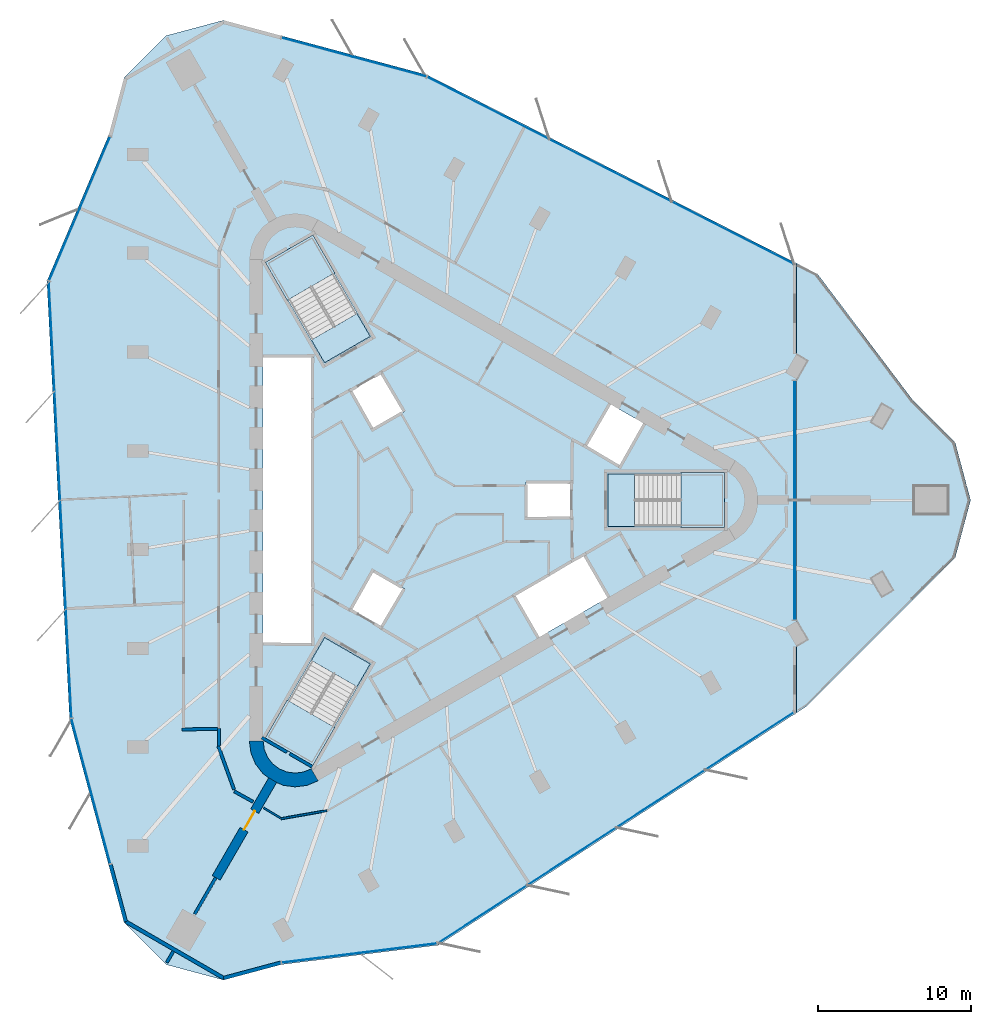
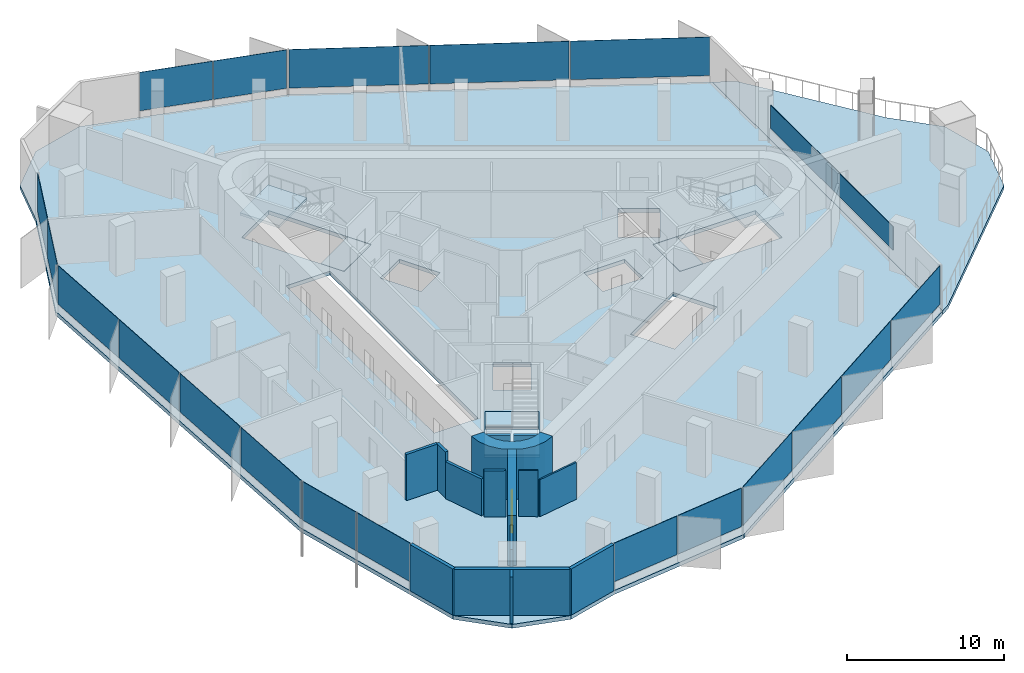
# One storey, part 6 of 12: 21 plates, 15 walls, 8 slabs, 1 door, 1 opening, 11 elements without a shape of their own.
"""IFC4 building model written with IfcOpenShell, lengths in metres."""

from ifc_helpers import new_model, si_unit, direction, frame, frame_2d, origin, origin_2d, place, context, subcontext, project, spatial, polyline, rectangle, outline, extrude, material, layer, layer_set, type_object, element, fill, aggregate, save


model = new_model("IFC4")

# Units and contexts
model_context = context("Model", 3, precision=1e-05, world=origin(), true_north=direction((0.0, 1.0)))
body_context = subcontext(model_context, "Body", "Model", "MODEL_VIEW")
ifc_project = project(units=[si_unit("LENGTHUNIT", "METRE"), si_unit("AREAUNIT", "SQUARE_METRE"), si_unit("VOLUMEUNIT", "CUBIC_METRE"), si_unit("PLANEANGLEUNIT", "RADIAN"), si_unit("MASSUNIT", "GRAM", prefix="KILO")], contexts=[model_context])

# Site, building, storey
site_placement = place(None, origin())
site = spatial("IfcSite", under=ifc_project, at=site_placement, CompositionType="ELEMENT")
building_placement = place(site_placement, origin())
building = spatial("IfcBuilding", under=site, at=building_placement, Name="Tanit Gate Tower", CompositionType="ELEMENT")
storey_placement = place(building_placement, frame((0.0, 0.0, 361.10009765625)))
storey = spatial("IfcBuildingStorey", under=building, at=storey_placement, Name="L82", CompositionType="ELEMENT", Elevation=361.10009765625)

# Slab
ifc_material_1 = material(Name="Concrete C35/45", Category="concrete")
ifc_layer_1 = layer(ifc_material_1, 0.300048828125)
ifc_layer_set_1 = layer_set([ifc_layer_1], Name="FLOOR SLAB 300 C35/45")
slab_type_1 = type_object("IfcSlabType", Name="FLOOR SLAB 300 C35/45", PredefinedType="FLOOR", material=ifc_layer_set_1)
slab_1_placement = place(storey_placement, frame((0.0, 0.0, -0.300048828125)))
element("IfcSlab", 1, at=slab_1_placement, inside=storey, type_object=slab_type_1, Name="FLOOR SLAB L82", PredefinedType="FLOOR", context=body_context, shape_type="SweptSolid", body=[
    extrude(outline(polyline([(0.267822265625, -29.116943359375), (-10.025390625, -30.39013671875), (-13.78564453125, -31.397705078125), (-17.545654296875, -30.39013671875), (-20.29833984375, -27.637451171875), (-21.305908203125, -23.87744140625), (-23.86181640625, -14.326416015625), (-25.349853515625, 14.326416015625), (-21.305908203125, 23.87744140625), (-20.29833984375, 27.637451171875), (-17.545654296875, 30.39013671875), (-13.78564453125, 31.397705078125), (-10.025390625, 30.39013671875), (-0.476318359375, 27.828125), (25.08203125, 14.790283203125), (23.699951171875, 15.495361328125), (23.699951171875, -13.91552734375), (0.267822265625, -29.116943359375)]), holes=[polyline([(11.3701171875, 1.72998046875), (18.929931640625, 1.72998046875), (18.929931640625, -1.72998046875), (11.3701171875, -1.72998046875), (11.3701171875, 1.72998046875)]), polyline([(12.158935546875, 2.159912109375), (9.82080078125, 3.510009765625), (11.44580078125, 6.324462890625), (13.783935546875, 4.974609375), (12.158935546875, 2.159912109375)]), polyline([(11.44580078125, -6.324462890625), (6.76904296875, -9.0244140625), (5.14404296875, -6.2099609375), (9.82080078125, -3.510009765625), (11.44580078125, -6.324462890625)]), polyline([(6.0, 1.199951171875), (9.0, 1.199951171875), (9.0, -1.199951171875), (6.0, -1.199951171875), (6.0, 1.199951171875)]), polyline([(-4.039306640625, 4.59619140625), (-5.539306640625, 7.194091796875), (-3.460693359375, 8.394287109375), (-1.960693359375, 5.796142578125), (-4.039306640625, 4.59619140625)]), polyline([(-1.960693359375, -5.796142578125), (-3.460693359375, -8.394287109375), (-5.539306640625, -7.194091796875), (-4.039306640625, -4.59619140625), (-1.960693359375, -5.796142578125)]), polyline([(-7.18310546875, 8.981689453125), (-10.963134765625, 15.52880859375), (-7.966796875, 17.2587890625), (-4.186767578125, 10.711669921875), (-7.18310546875, 8.981689453125)]), polyline([(-4.186767578125, -10.711669921875), (-7.966796875, -17.2587890625), (-10.963134765625, -15.52880859375), (-7.18310546875, -8.981689453125), (-4.186767578125, -10.711669921875)]), polyline([(-11.199951171875, -9.449951171875), (-11.199951171875, 9.449951171875), (-7.949951171875, 9.449951171875), (-7.949951171875, -9.449951171875), (-11.199951171875, -9.449951171875)])]), origin(), (0.0, 0.0, 1.0), 0.300048828125),
])

# Curtain wall, plates
ifc_material_2 = material(Name="Aluminium bronze anodised and glass", Category="aluminium")
curtain_wall_type_1 = type_object("IfcCurtainWallType", Name="Curtain wall typical high", PredefinedType="NOTDEFINED", material=ifc_material_2)
curtain_wall_1_placement = place(storey_placement, origin())
curtain_wall_1 = element("IfcCurtainWall", 2, at=curtain_wall_1_placement, inside=storey, type_object=curtain_wall_type_1, Name="Curtain wall L82 NE2c", PredefinedType="NOTDEFINED")
ifc_material_3 = material(Name="Glass tinted", Category="glass")
ifc_layer_2 = layer(ifc_material_3, 0.028076171875)
ifc_layer_set_2 = layer_set([ifc_layer_2], Name="Glass panel 28 typical high")
plate_type_1 = type_object("IfcPlateType", Name="Glass panel 28 typical high", PredefinedType="CURTAIN_PANEL", material=ifc_layer_set_2)
plate_1_placement = place(storey_placement, frame((19.5400390625, 17.482666015625, 0.599853515625), z_axis=(0.0, 0.0, 1.0), x_axis=(-0.890792250432, 0.454410790552, 0.0)))
plate_1 = element("IfcPlate", 3, at=plate_1_placement, type_object=plate_type_1, Name="Glass panel L82 NE2c.1", PredefinedType="CURTAIN_PANEL", context=body_context, shape_type="SweptSolid", body=[
    extrude(rectangle(XDim=8.91162109375, YDim=0.028076171875, at=origin_2d()), origin(), (0.0, 0.0, 1.0), 3.0),
])
plate_2_placement = place(storey_placement, frame((11.530517578125, 21.568603515625, 0.599853515625), z_axis=(0.0, 0.0, 1.0), x_axis=(-0.890792250432, 0.454410790552, 0.0)))
plate_2 = element("IfcPlate", 4, at=plate_2_placement, type_object=plate_type_1, Name="Glass panel L82 NE2c.2", PredefinedType="CURTAIN_PANEL", context=body_context, shape_type="SweptSolid", body=[
    extrude(rectangle(XDim=8.91162109375, YDim=0.028076171875, at=origin_2d()), origin(), (0.0, 0.0, 1.0), 3.0),
])
plate_3_placement = place(storey_placement, frame((3.52099609375, 25.654296875, 0.599853515625), z_axis=(0.0, 0.0, 1.0), x_axis=(-0.890792250432, 0.454410790552, 0.0)))
plate_3 = element("IfcPlate", 5, at=plate_3_placement, type_object=plate_type_1, Name="Glass panel L82 NE2c.3", PredefinedType="CURTAIN_PANEL", context=body_context, shape_type="SweptSolid", body=[
    extrude(rectangle(XDim=8.91162109375, YDim=0.028076171875, at=origin_2d()), origin(), (0.0, 0.0, 1.0), 3.0),
])
aggregate(curtain_wall_1, [plate_1, plate_2, plate_3])

curtain_wall_2_placement = place(storey_placement, origin())
curtain_wall_2 = element("IfcCurtainWall", 6, at=curtain_wall_2_placement, inside=storey, type_object=curtain_wall_type_1, Name="Curtain wall L82 NE3", PredefinedType="NOTDEFINED")
plate_4_placement = place(storey_placement, frame((-2.923095703125, 28.3603515625, 0.599853515625), z_axis=(0.0, 0.0, 1.0), x_axis=(-0.965844581241, 0.259122065613, 0.0)))
plate_4 = element("IfcPlate", 7, at=plate_4_placement, type_object=plate_type_1, Name="Glass panel L82 NE3.1", PredefinedType="CURTAIN_PANEL", context=body_context, shape_type="SweptSolid", body=[
    extrude(rectangle(XDim=4.817138671875, YDim=0.028076171875, at=origin_2d()), origin(), (0.0, 0.0, 1.0), 3.0),
])
plate_5_placement = place(storey_placement, frame((-7.653076171875, 29.62939453125, 0.599853515625), z_axis=(0.0, 0.0, 1.0), x_axis=(-0.965844581241, 0.259122065613, 0.0)))
plate_5 = element("IfcPlate", 8, at=plate_5_placement, type_object=plate_type_1, Name="Glass panel L82 NE3.2", PredefinedType="CURTAIN_PANEL", context=body_context, shape_type="SweptSolid", body=[
    extrude(rectangle(XDim=4.817138671875, YDim=0.028076171875, at=origin_2d()), origin(), (0.0, 0.0, 1.0), 3.0),
])
aggregate(curtain_wall_2, [plate_4, plate_5])

curtain_wall_3_placement = place(storey_placement, origin())
curtain_wall_3 = element("IfcCurtainWall", 9, at=curtain_wall_3_placement, inside=storey, type_object=curtain_wall_type_1, Name="Curtain wall L82 W1", PredefinedType="NOTDEFINED")
plate_6_placement = place(storey_placement, frame((-22.208984375, 21.4365234375, 0.599853515625), z_axis=(0.0, 0.0, 1.0), x_axis=(-0.389905731577, -0.920854777087, 0.0)))
plate_6 = element("IfcPlate", 10, at=plate_6_placement, type_object=plate_type_1, Name="Glass panel L82 W1.1", PredefinedType="CURTAIN_PANEL", context=body_context, shape_type="SweptSolid", body=[
    extrude(rectangle(XDim=5.056396484375, YDim=0.028076171875, at=origin_2d()), origin(), (0.0, 0.0, 1.0), 3.0),
])
plate_7_placement = place(storey_placement, frame((-24.211669921875, 16.706787109375, 0.599853515625), z_axis=(0.0, 0.0, 1.0), x_axis=(-0.389905731577, -0.920854777087, 0.0)))
plate_7 = element("IfcPlate", 11, at=plate_7_placement, type_object=plate_type_1, Name="Glass panel L82 W1.2", PredefinedType="CURTAIN_PANEL", context=body_context, shape_type="SweptSolid", body=[
    extrude(rectangle(XDim=5.056396484375, YDim=0.028076171875, at=origin_2d()), origin(), (0.0, 0.0, 1.0), 3.0),
])
aggregate(curtain_wall_3, [plate_6, plate_7])

curtain_wall_4_placement = place(storey_placement, origin())
curtain_wall_4 = element("IfcCurtainWall", 12, at=curtain_wall_4_placement, inside=storey, type_object=curtain_wall_type_1, Name="Curtain wall L82 W2", PredefinedType="NOTDEFINED")
plate_8_placement = place(storey_placement, frame((-25.041259765625, 10.698486328125, 0.599853515625), z_axis=(0.0, 0.0, 1.0), x_axis=(0.051864836844, -0.998654113645, 0.0)))
plate_8 = element("IfcPlate", 13, at=plate_8_placement, type_object=plate_type_1, Name="Glass panel L82 W2.1", PredefinedType="CURTAIN_PANEL", context=body_context, shape_type="SweptSolid", body=[
    extrude(rectangle(XDim=7.062744140625, YDim=0.028076171875, at=origin_2d()), origin(), (0.0, 0.0, 1.0), 3.0),
])
plate_9_placement = place(storey_placement, frame((-24.6708984375, 3.5654296875, 0.599853515625), z_axis=(0.0, 0.0, 1.0), x_axis=(0.051864836844, -0.998654113645, 0.0)))
plate_9 = element("IfcPlate", 14, at=plate_9_placement, type_object=plate_type_1, Name="Glass panel L82 W2.2", PredefinedType="CURTAIN_PANEL", context=body_context, shape_type="SweptSolid", body=[
    extrude(rectangle(XDim=7.062744140625, YDim=0.028076171875, at=origin_2d()), origin(), (0.0, 0.0, 1.0), 3.0),
])
plate_10_placement = place(storey_placement, frame((-24.30029296875, -3.56787109375, 0.599853515625), z_axis=(0.0, 0.0, 1.0), x_axis=(0.051864836844, -0.998654113645, 0.0)))
plate_10 = element("IfcPlate", 15, at=plate_10_placement, type_object=plate_type_1, Name="Glass panel L82 W2.3", PredefinedType="CURTAIN_PANEL", context=body_context, shape_type="SweptSolid", body=[
    extrude(rectangle(XDim=7.062744140625, YDim=0.028076171875, at=origin_2d()), origin(), (0.0, 0.0, 1.0), 3.0),
])
plate_11_placement = place(storey_placement, frame((-23.929931640625, -10.700927734375, 0.599853515625), z_axis=(0.0, 0.0, 1.0), x_axis=(0.051864836844, -0.998654113645, 0.0)))
plate_11 = element("IfcPlate", 16, at=plate_11_placement, type_object=plate_type_1, Name="Glass panel L82 W2.4", PredefinedType="CURTAIN_PANEL", context=body_context, shape_type="SweptSolid", body=[
    extrude(rectangle(XDim=7.062744140625, YDim=0.028076171875, at=origin_2d()), origin(), (0.0, 0.0, 1.0), 3.0),
])
aggregate(curtain_wall_4, [plate_8, plate_9, plate_10, plate_11])

curtain_wall_5_placement = place(storey_placement, origin())
curtain_wall_5 = element("IfcCurtainWall", 17, at=curtain_wall_5_placement, inside=storey, type_object=curtain_wall_type_1, Name="Curtain wall L82 W3", PredefinedType="NOTDEFINED")
plate_12_placement = place(storey_placement, frame((-23.099365234375, -16.711669921875, 0.599853515625), z_axis=(0.0, 0.0, 1.0), x_axis=(0.258515999119, -0.966006976269, 0.0)))
plate_12 = element("IfcPlate", 18, at=plate_12_placement, type_object=plate_type_1, Name="Glass panel L82 W3.1", PredefinedType="CURTAIN_PANEL", context=body_context, shape_type="SweptSolid", body=[
    extrude(rectangle(XDim=4.817138671875, YDim=0.028076171875, at=origin_2d()), origin(), (0.0, 0.0, 1.0), 3.0),
])
plate_13_placement = place(storey_placement, frame((-21.833251953125, -21.4423828125, 0.599853515625), z_axis=(0.0, 0.0, 1.0), x_axis=(0.258515999119, -0.966006976269, 0.0)))
plate_13 = element("IfcPlate", 19, at=plate_13_placement, type_object=plate_type_1, Name="Glass panel L82 W3.2", PredefinedType="CURTAIN_PANEL", context=body_context, shape_type="SweptSolid", body=[
    extrude(rectangle(XDim=4.817138671875, YDim=0.028076171875, at=origin_2d()), origin(), (0.0, 0.0, 1.0), 3.0),
])
aggregate(curtain_wall_5, [plate_12, plate_13])

curtain_wall_6_placement = place(storey_placement, origin())
curtain_wall_6 = element("IfcCurtainWall", 20, at=curtain_wall_6_placement, inside=storey, type_object=curtain_wall_type_1, Name="Curtain wall L82 SE1", PredefinedType="NOTDEFINED")
plate_14_placement = place(storey_placement, frame((-7.460205078125, -29.951904296875, 0.599853515625), z_axis=(0.0, 0.0, 1.0), x_axis=(0.992436495942, 0.122759119916, 0.0)))
plate_14 = element("IfcPlate", 21, at=plate_14_placement, type_object=plate_type_1, Name="Glass panel L82 SE1.1", PredefinedType="CURTAIN_PANEL", context=body_context, shape_type="SweptSolid", body=[
    extrude(rectangle(XDim=5.056396484375, YDim=0.028076171875, at=origin_2d()), origin(), (0.0, 0.0, 1.0), 3.0),
])
plate_15_placement = place(storey_placement, frame((-2.362548828125, -29.3212890625, 0.599853515625), z_axis=(0.0, 0.0, 1.0), x_axis=(0.992436495942, 0.122759119916, 0.0)))
plate_15 = element("IfcPlate", 22, at=plate_15_placement, type_object=plate_type_1, Name="Glass panel L82 SE1.2", PredefinedType="CURTAIN_PANEL", context=body_context, shape_type="SweptSolid", body=[
    extrude(rectangle(XDim=5.056396484375, YDim=0.028076171875, at=origin_2d()), origin(), (0.0, 0.0, 1.0), 3.0),
])
aggregate(curtain_wall_6, [plate_14, plate_15])

curtain_wall_7_placement = place(storey_placement, origin())
curtain_wall_7 = element("IfcCurtainWall", 23, at=curtain_wall_7_placement, inside=storey, type_object=curtain_wall_type_1, Name="Curtain wall L82 SE2c", PredefinedType="NOTDEFINED")
plate_16_placement = place(storey_placement, frame((3.170166015625, -27.091064453125, 0.599853515625), z_axis=(0.0, 0.0, 1.0), x_axis=(0.838927413588, 0.544243323092, 0.0)))
plate_16 = element("IfcPlate", 24, at=plate_16_placement, type_object=plate_type_1, Name="Glass panel L82 SE2c.1", PredefinedType="CURTAIN_PANEL", context=body_context, shape_type="SweptSolid", body=[
    extrude(rectangle(XDim=6.859619140625, YDim=0.028076171875, at=origin_2d()), origin(), (0.0, 0.0, 1.0), 3.0),
])
plate_17_placement = place(storey_placement, frame((8.9921875, -23.31396484375, 0.599853515625), z_axis=(0.0, 0.0, 1.0), x_axis=(0.838927413588, 0.544243323092, 0.0)))
plate_17 = element("IfcPlate", 25, at=plate_17_placement, type_object=plate_type_1, Name="Glass panel L82 SE2c.2", PredefinedType="CURTAIN_PANEL", context=body_context, shape_type="SweptSolid", body=[
    extrude(rectangle(XDim=6.859619140625, YDim=0.028076171875, at=origin_2d()), origin(), (0.0, 0.0, 1.0), 3.0),
])
plate_18_placement = place(storey_placement, frame((14.81396484375, -19.537109375, 0.599853515625), z_axis=(0.0, 0.0, 1.0), x_axis=(0.838927413588, 0.544243323092, 0.0)))
plate_18 = element("IfcPlate", 26, at=plate_18_placement, type_object=plate_type_1, Name="Glass panel L82 SE2c.3", PredefinedType="CURTAIN_PANEL", context=body_context, shape_type="SweptSolid", body=[
    extrude(rectangle(XDim=6.859619140625, YDim=0.028076171875, at=origin_2d()), origin(), (0.0, 0.0, 1.0), 3.0),
])
plate_19_placement = place(storey_placement, frame((20.635986328125, -15.76025390625, 0.599853515625), z_axis=(0.0, 0.0, 1.0), x_axis=(0.838927413588, 0.544243323092, 0.0)))
plate_19 = element("IfcPlate", 27, at=plate_19_placement, type_object=plate_type_1, Name="Glass panel L82 SE2c.4", PredefinedType="CURTAIN_PANEL", context=body_context, shape_type="SweptSolid", body=[
    extrude(rectangle(XDim=6.859619140625, YDim=0.028076171875, at=origin_2d()), origin(), (0.0, 0.0, 1.0), 3.0),
])
aggregate(curtain_wall_7, [plate_16, plate_17, plate_18, plate_19])

ifc_material_4 = material(Name="Aluminium bronze anodised and glass", Category="aluminium")
curtain_wall_type_2 = type_object("IfcCurtainWallType", Name="Curtain wall portal glazing", PredefinedType="NOTDEFINED", material=ifc_material_4)
curtain_wall_8_placement = place(storey_placement, origin())
curtain_wall_8 = element("IfcCurtainWall", 28, at=curtain_wall_8_placement, inside=storey, type_object=curtain_wall_type_2, Name="Curtain wall L82 NOTCH2", PredefinedType="NOTDEFINED")
ifc_material_5 = material(Name="Glass tinted laminated safety", Category="glass")
ifc_layer_3 = layer(ifc_material_5, 0.0439453125)
ifc_layer_set_3 = layer_set([ifc_layer_3], Name="Glass panel 44 portal glazing")
plate_type_2 = type_object("IfcPlateType", Name="Glass panel 44 portal glazing", PredefinedType="CURTAIN_PANEL", material=ifc_layer_set_3)
plate_20_placement = place(storey_placement, frame((23.580078125, 3.9267578125, 1.099853515625), z_axis=(0.0, 0.0, 1.0), x_axis=(0.0, -1.0, 0.0)))
plate_20 = element("IfcPlate", 29, at=plate_20_placement, type_object=plate_type_2, Name="Glass panel L82 NOTCH2.1", PredefinedType="CURTAIN_PANEL", context=body_context, shape_type="SweptSolid", body=[
    extrude(rectangle(XDim=7.7734375, YDim=0.0439453125, at=origin_2d()), origin(), (0.0, 0.0, 1.0), 1.81005859375),
])
plate_21_placement = place(storey_placement, frame((23.580078125, -3.9267578125, 1.099853515625), z_axis=(0.0, 0.0, 1.0), x_axis=(0.0, -1.0, 0.0)))
plate_21 = element("IfcPlate", 30, at=plate_21_placement, type_object=plate_type_2, Name="Glass panel L82 NOTCH2.2", PredefinedType="CURTAIN_PANEL", context=body_context, shape_type="SweptSolid", body=[
    extrude(rectangle(XDim=7.7734375, YDim=0.0439453125, at=origin_2d()), origin(), (0.0, 0.0, 1.0), 1.81005859375),
])
aggregate(curtain_wall_8, [plate_20, plate_21])

# Stair, slab
ifc_material_6 = material(Name="Concrete C40/50", Category="concrete")
stair_type = type_object("IfcStairType", Name="INT-STAIR-EXIT", PredefinedType="HALF_TURN_STAIR", material=ifc_material_6)
stair_1_placement = place(storey_placement, origin())
stair_1 = element("IfcStair", 31, at=stair_1_placement, inside=storey, type_object=stair_type, Name="L82 STAIR S1", PredefinedType="HALF_TURN_STAIR")
ifc_material_7 = material(Name="Concrete C40/50", Category="concrete")
ifc_layer_4 = layer(ifc_material_7, 0.199951171875)
ifc_layer_set_4 = layer_set([ifc_layer_4], Name="INT-STAIR-LANDING")
slab_type_2 = type_object("IfcSlabType", Name="INT-STAIR-LANDING", PredefinedType="LANDING", material=ifc_layer_set_4)
slab_2_placement = place(storey_placement, frame((0.0, 0.0, 1.75)))
slab_2 = element("IfcSlab", 32, at=slab_2_placement, type_object=slab_type_2, Name="S1 landing 1", PredefinedType="LANDING", context=body_context, shape_type="SweptSolid", body=[
    extrude(outline(polyline([(16.135986328125, -1.800048828125), (19.0, -1.800048828125), (19.0, 1.800048828125), (16.135986328125, 1.800048828125), (16.135986328125, -1.800048828125)])), origin(), (0.0, 0.0, 1.0), 0.199951171875),
])
aggregate(stair_1, [slab_2])

# Slab
slab_3_placement = place(storey_placement, frame((0.0, 0.0, -0.2001953125)))
element("IfcSlab", 33, at=slab_3_placement, inside=storey, type_object=slab_type_2, Name="S1 floor landing", PredefinedType="LANDING", context=body_context, shape_type="SweptSolid", body=[
    extrude(outline(polyline([(11.3798828125, -1.719970703125), (13.10498046875, -1.719970703125), (13.10498046875, 1.719970703125), (11.3798828125, 1.719970703125), (11.3798828125, -1.719970703125)])), origin(), (0.0, 0.0, 1.0), 0.2001953125),
])

# Stair, slab
stair_2_placement = place(storey_placement, origin())
stair_2 = element("IfcStair", 34, at=stair_2_placement, inside=storey, type_object=stair_type, Name="L82 STAIR S2", PredefinedType="HALF_TURN_STAIR")
slab_4_placement = place(storey_placement, frame((0.0, 0.0, 1.75)))
slab_4 = element("IfcSlab", 35, at=slab_4_placement, type_object=slab_type_2, Name="S2 landing 1", PredefinedType="LANDING", context=body_context, shape_type="SweptSolid", body=[
    extrude(outline(polyline([(-6.5078125, 14.871826171875), (-7.941162109375, 17.3544921875), (-11.058837890625, 15.554443359375), (-9.62548828125, 13.07177734375), (-6.5078125, 14.871826171875)])), origin(), (0.0, 0.0, 1.0), 0.199951171875),
])
aggregate(stair_2, [slab_4])

# Slab
slab_5_placement = place(storey_placement, frame((0.0, 0.0, -0.2001953125)))
element("IfcSlab", 36, at=slab_5_placement, inside=storey, type_object=slab_type_2, Name="S2 floor landing", PredefinedType="LANDING", context=body_context, shape_type="SweptSolid", body=[
    extrude(outline(polyline([(-4.200439453125, 10.71533203125), (-5.0625, 12.20849609375), (-8.04150390625, 10.48828125), (-7.179443359375, 8.995361328125), (-4.200439453125, 10.71533203125)])), origin(), (0.0, 0.0, 1.0), 0.2001953125),
])

# Stair, slab
stair_3_placement = place(storey_placement, origin())
stair_3 = element("IfcStair", 37, at=stair_3_placement, inside=storey, type_object=stair_type, Name="L82 STAIR S3", PredefinedType="HALF_TURN_STAIR")
slab_6_placement = place(storey_placement, frame((0.0, 0.0, 1.75)))
slab_6 = element("IfcSlab", 38, at=slab_6_placement, type_object=slab_type_2, Name="S3 landing 1", PredefinedType="LANDING", context=body_context, shape_type="SweptSolid", body=[
    extrude(outline(polyline([(-9.626953125, -13.07421875), (-11.058837890625, -15.554443359375), (-7.941162109375, -17.3544921875), (-6.509033203125, -14.874267578125), (-9.626953125, -13.07421875)])), origin(), (0.0, 0.0, 1.0), 0.199951171875),
])
aggregate(stair_3, [slab_6])

# Slabs
slab_7_placement = place(storey_placement, frame((0.0, 0.0, -0.2001953125)))
element("IfcSlab", 39, at=slab_7_placement, inside=storey, type_object=slab_type_2, Name="S3 floor landing", PredefinedType="LANDING", context=body_context, shape_type="SweptSolid", body=[
    extrude(outline(polyline([(-7.179443359375, -8.995361328125), (-8.0419921875, -10.4892578125), (-5.06298828125, -12.209228515625), (-4.200439453125, -10.71533203125), (-7.179443359375, -8.995361328125)])), origin(), (0.0, 0.0, 1.0), 0.2001953125),
])
ifc_material_8 = material(Name="Concrete C35/45", Category="concrete")
ifc_layer_5 = layer(ifc_material_8, 0.300048828125)
ifc_layer_set_5 = layer_set([ifc_layer_5], Name="PORTAL DECK SLAB 300 C35/45")
slab_type_3 = type_object("IfcSlabType", Name="PORTAL DECK SLAB 300 C35/45", PredefinedType="FLOOR", material=ifc_layer_set_5)
slab_8_placement = place(storey_placement, frame((0.0, 0.0, -0.300048828125)))
element("IfcSlab", 40, at=slab_8_placement, inside=storey, type_object=slab_type_3, Name="PORTAL DECK SLAB", PredefinedType="FLOOR", context=body_context, shape_type="SweptSolid", body=[
    extrude(outline(polyline([(31.331298828125, 6.5126953125), (34.083984375, 3.760009765625), (35.091552734375, 0.0), (34.083984375, -3.760009765625), (31.331298828125, -6.5126953125), (24.337890625, -13.501708984375), (23.699951171875, -13.91552734375), (23.699951171875, 15.495361328125), (25.08203125, 14.790283203125), (31.331298828125, 6.5126953125)])), origin(), (0.0, 0.0, 1.0), 0.300048828125),
])

# Wall, opening, door
ifc_material_9 = material(Name="Concrete C40/50", Category="concrete")
ifc_layer_6 = layer(ifc_material_9, 0.60009765625)
ifc_layer_set_6 = layer_set([ifc_layer_6], Name="BUTTRESS FIN 600 C40/50")
wall_type_1 = type_object("IfcWallType", Name="BUTTRESS FIN 600 C40/50", PredefinedType="SHEAR", material=ifc_layer_set_6)
wall_1_placement = place(storey_placement, frame((-10.574951171875, -18.31640625, 0.0), z_axis=(0.0, 0.0, 1.0), x_axis=(-0.500009454961, -0.866019944892, 0.0)))
wall_1 = element("IfcWall", 41, at=wall_1_placement, inside=storey, type_object=wall_type_1, Name="BUTTRESS FIN", PredefinedType="SHEAR", context=body_context, shape_type="SweptSolid", body=[
    extrude(rectangle(XDim=7.387939453125, YDim=0.60009765625, at=frame_2d((3.69384765625, 0.0))), origin(), (0.0, 0.0, 1.0), 3.89990234375),
])
opening_placement = place(wall_1_placement, frame((2.35009765625, 0.0, 0.0)))
opening = element("IfcOpeningElement", 42, at=opening_placement, cuts=wall_1, Name="Opening P14-82-F-SW-1", PredefinedType="OPENING", context=body_context, shape_type="SweptSolid", body=[
    extrude(rectangle(XDim=1.39990234375, YDim=2.39990234375, at=frame_2d((0.699951171875, 1.199951171875))), frame((0.0, 0.31005859375, 0.0), z_axis=(0.0, -1.0, 0.0), x_axis=(1.0, 0.0, 0.0)), (0.0, 0.0, 1.0), 0.6201171875),
])
ifc_material_10 = material(Name="Timber door leaf", Category="wood")
door_type = type_object("IfcDoorType", Name="INT-DOOR-FIN-PAIR-1400", OperationType="NOTDEFINED", PredefinedType="NOTDEFINED", material=ifc_material_10)
door_placement = place(opening_placement, origin())
door = element("IfcDoor", 43, at=door_placement, inside=storey, type_object=door_type, Name="Door P14-82-F-SW-1", OperationType="DOUBLE_DOOR_SINGLE_SWING", OverallHeight=2.39990234375, OverallWidth=1.39990234375, PredefinedType="NOTDEFINED", context=body_context, shape_type="SweptSolid", body=[
    extrude(rectangle(XDim=1.39990234375, YDim=2.39990234375, at=frame_2d((0.699951171875, 1.199951171875))), frame((0.0, 0.02490234375, 0.0), z_axis=(0.0, -1.0, 0.0), x_axis=(1.0, 0.0, 0.0)), (0.0, 0.0, 1.0), 0.050048828125),
])
fill(opening, door)

# Walls
ifc_material_11 = material(Name="Concrete C40/50", Category="concrete")
ifc_layer_7 = layer(ifc_material_11, 0.89990234375)
ifc_layer_set_7 = layer_set([ifc_layer_7], Name="CORE WALL 900 C40/50")
wall_type_2 = type_object("IfcWallType", Name="CORE WALL 900 C40/50", PredefinedType="SHEAR", material=ifc_layer_set_7)
wall_2_placement = place(storey_placement, origin())
element("IfcWall", 44, at=wall_2_placement, inside=storey, type_object=wall_type_2, Name="CORE WALL CORNER", PredefinedType="SHEAR", context=body_context, shape_type="SweptSolid", body=[
    extrude(outline(polyline([(-12.10009765625, -15.76171875), (-11.997802734375, -16.5380859375), (-11.697998046875, -17.26171875), (-11.22119140625, -17.883056640625), (-10.60009765625, -18.359619140625), (-9.87646484375, -18.659423828125), (-9.10009765625, -18.76171875), (-8.323486328125, -18.659423828125), (-7.60009765625, -18.359619140625), (-8.050048828125, -17.580322265625), (-8.556396484375, -17.7900390625), (-9.10009765625, -17.86181640625), (-9.6435546875, -17.7900390625), (-10.14990234375, -17.580322265625), (-10.5849609375, -17.24658203125), (-10.918701171875, -16.811767578125), (-11.12841796875, -16.30517578125), (-11.199951171875, -15.76171875), (-12.10009765625, -15.76171875)])), origin(), (0.0, 0.0, 1.0), 3.89990234375),
])
ifc_material_12 = material(Name="Concrete C30/37 with bronze anodised aluminium cladding", Category="concrete")
ifc_layer_8 = layer(ifc_material_12, 0.239990234375)
ifc_layer_set_8 = layer_set([ifc_layer_8], Name="Facade wall bronze clad 240")
wall_type_3 = type_object("IfcWallType", Name="Facade wall bronze clad 240", PredefinedType="SOLIDWALL", material=ifc_layer_set_8)
wall_3_placement = place(storey_placement, frame((-21.18994140625, -23.846435546875, 0.0), z_axis=(0.0, 0.0, 1.0), x_axis=(0.258839344225, -0.965920386927, 0.0)))
element("IfcWall", 45, at=wall_3_placement, inside=storey, type_object=wall_type_3, Name="Bronze-clad facade wall L82 SW.arc1", PredefinedType="SOLIDWALL", context=body_context, shape_type="SweptSolid", body=[
    extrude(rectangle(XDim=3.860595703125, YDim=0.239990234375, at=frame_2d((1.93017578125, 0.0))), origin(), (0.0, 0.0, 1.0), 3.599853515625),
])
wall_4_placement = place(storey_placement, frame((-20.190673828125, -27.575439453125, 0.0), z_axis=(0.0, 0.0, 1.0), x_axis=(0.866022320763, -0.500005339912, 0.0)))
element("IfcWall", 46, at=wall_4_placement, inside=storey, type_object=wall_type_3, Name="Bronze-clad facade wall L82 SW.arc2", PredefinedType="SOLIDWALL", context=body_context, shape_type="SweptSolid", body=[
    extrude(rectangle(XDim=7.39599609375, YDim=0.239990234375, at=frame_2d((3.697998046875, 0.0))), origin(), (0.0, 0.0, 1.0), 3.599853515625),
])
wall_5_placement = place(storey_placement, frame((-13.78564453125, -31.2734375, 0.0), z_axis=(0.0, 0.0, 1.0), x_axis=(0.965917910961, 0.258848583704, 0.0)))
element("IfcWall", 47, at=wall_5_placement, inside=storey, type_object=wall_type_3, Name="Bronze-clad facade wall L82 SW.arc3", PredefinedType="SOLIDWALL", context=body_context, shape_type="SweptSolid", body=[
    extrude(rectangle(XDim=3.868896484375, YDim=0.239990234375, at=frame_2d((1.9345703125, 0.0))), origin(), (0.0, 0.0, 1.0), 3.599853515625),
])
ifc_material_13 = material(Name="Fire-rated gypsum board partition")
ifc_layer_9 = layer(ifc_material_13, 0.199951171875)
ifc_layer_set_9 = layer_set([ifc_layer_9], Name="INT-WALL-COMPARTMENT")
wall_type_4 = type_object("IfcWallType", Name="INT-WALL-COMPARTMENT", PredefinedType="PARTITIONING", material=ifc_layer_set_9)
wall_6_placement = place(storey_placement, frame((-14.10009765625, -14.949951171875, 0.0), z_axis=(0.0, 0.0, 1.0), x_axis=(0.0, -1.0, 0.0)))
element("IfcWall", 48, at=wall_6_placement, inside=storey, type_object=wall_type_4, Name="Wall Compartment W098", PredefinedType="PARTITIONING", context=body_context, shape_type="SweptSolid", body=[
    extrude(rectangle(XDim=1.143798828125, YDim=0.199951171875, at=frame_2d((0.57177734375, 0.0))), origin(), (0.0, 0.0, 1.0), 3.599853515625),
])
wall_7_placement = place(storey_placement, frame((-13.083251953125, -19.05859375, 0.0), z_axis=(0.0, 0.0, 1.0), x_axis=(0.874403699392, -0.485199103966, 0.0)))
element("IfcWall", 49, at=wall_7_placement, inside=storey, type_object=wall_type_4, Name="Wall Compartment W096", PredefinedType="PARTITIONING", context=body_context, shape_type="SweptSolid", body=[
    extrude(rectangle(XDim=1.4013671875, YDim=0.199951171875, at=frame_2d((0.70068359375, 0.0))), origin(), (0.0, 0.0, 1.0), 3.599853515625),
])
wall_8_placement = place(storey_placement, frame((-14.13427734375, -16.099609375, 0.0), z_axis=(0.0, 0.0, 1.0), x_axis=(0.342048558967, -0.939682277852, 0.0)))
element("IfcWall", 50, at=wall_8_placement, inside=storey, type_object=wall_type_4, Name="Wall Compartment W097", PredefinedType="PARTITIONING", context=body_context, shape_type="SweptSolid", body=[
    extrude(rectangle(XDim=3.015625, YDim=0.199951171875, at=frame_2d((1.5078125, 0.0))), origin(), (0.0, 0.0, 1.0), 2.8798828125),
])
wall_9_placement = place(storey_placement, frame((-16.5, -15.001220703125, 0.0), z_axis=(0.0, 0.0, 1.0), x_axis=(0.999914974263, 0.013040101386, 0.0)))
element("IfcWall", 51, at=wall_9_placement, inside=storey, type_object=wall_type_4, Name="Wall Compartment W100", PredefinedType="PARTITIONING", context=body_context, shape_type="SweptSolid", body=[
    extrude(rectangle(XDim=2.34033203125, YDim=0.199951171875, at=frame_2d((1.170166015625, 0.0))), origin(), (0.0, 0.0, 1.0), 3.599853515625),
])
wall_10_placement = place(storey_placement, frame((-14.294921875, -24.699462890625, 0.0), z_axis=(0.0, 0.0, 1.0), x_axis=(-0.49996293259, -0.866046803606, 0.0)))
element("IfcWall", 52, at=wall_10_placement, inside=storey, type_object=wall_type_4, Name="Wall Compartment W111", PredefinedType="PARTITIONING", context=body_context, shape_type="SweptSolid", body=[
    extrude(rectangle(XDim=2.753662109375, YDim=0.199951171875, at=frame_2d((1.376953125, 0.0))), origin(), (0.0, 0.0, 1.0), 3.169921875),
])
wall_11_placement = place(storey_placement, frame((-17.07421875, -29.513427734375, 0.0), z_axis=(0.0, 0.0, 1.0), x_axis=(-0.500065409566, -0.86598763626, 0.0)))
element("IfcWall", 53, at=wall_11_placement, inside=storey, type_object=wall_type_4, Name="Wall Compartment W110", PredefinedType="PARTITIONING", context=body_context, shape_type="SweptSolid", body=[
    extrude(rectangle(XDim=0.86279296875, YDim=0.199951171875, at=frame_2d((0.431396484375, 0.0))), origin(), (0.0, 0.0, 1.0), 3.599853515625),
])
ifc_material_14 = material(Name="Gypsum board partition")
ifc_layer_10 = layer(ifc_material_14, 0.1201171875)
ifc_layer_set_10 = layer_set([ifc_layer_10], Name="INT-WALL-PARTITION")
wall_type_5 = type_object("IfcWallType", Name="INT-WALL-PARTITION", PredefinedType="PARTITIONING", material=ifc_layer_set_10)
wall_12_placement = place(storey_placement, frame((-10.017578125, -20.844482421875, 0.0), z_axis=(0.0, 0.0, 1.0), x_axis=(0.984799775228, 0.173693415853, 0.0)))
element("IfcWall", 54, at=wall_12_placement, inside=storey, type_object=wall_type_5, Name="Wall Partition W120", PredefinedType="PARTITIONING", context=body_context, shape_type="SweptSolid", body=[
    extrude(rectangle(XDim=3.030517578125, YDim=0.1201171875, at=frame_2d((1.51513671875, 0.0))), origin(), (0.0, 0.0, 1.0), 2.8798828125),
])
wall_13_placement = place(storey_placement, frame((-11.1650390625, -20.138427734375, 0.0), z_axis=(0.0, 0.0, 1.0), x_axis=(0.857357475666, -0.514721438177, 0.0)))
element("IfcWall", 55, at=wall_13_placement, inside=storey, type_object=wall_type_5, Name="Wall Partition W121", PredefinedType="PARTITIONING", context=body_context, shape_type="SweptSolid", body=[
    extrude(rectangle(XDim=1.272705078125, YDim=0.1201171875, at=frame_2d((0.63623046875, 0.0))), origin(), (0.0, 0.0, 1.0), 3.599853515625),
])
ifc_material_15 = material(Name="Concrete C40/50", Category="concrete")
ifc_layer_11 = layer(ifc_material_15, 0.199951171875)
ifc_layer_set_11 = layer_set([ifc_layer_11], Name="INT-WALL-STAIR")
wall_type_6 = type_object("IfcWallType", Name="INT-WALL-STAIR", PredefinedType="SHEAR", material=ifc_layer_set_11)
wall_14_placement = place(storey_placement, frame((-11.281982421875, -15.541015625, -0.300048828125), z_axis=(0.0, 0.0, 1.0), x_axis=(0.866000578957, -0.500042995397, 0.0)))
element("IfcWall", 56, at=wall_14_placement, inside=storey, type_object=wall_type_6, Name="Wall Stair W040", PredefinedType="SHEAR", context=body_context, shape_type="SweptSolid", body=[
    extrude(rectangle(XDim=1.889892578125, YDim=0.199951171875, at=frame_2d((0.94482421875, 0.0))), origin(), (0.0, 0.0, 1.0), 3.89990234375),
])
wall_15_placement = place(storey_placement, frame((-9.454833984375, -16.59619140625, -0.300048828125), z_axis=(0.0, 0.0, 1.0), x_axis=(0.866038843867, -0.499976720371, 0.0)))
element("IfcWall", 57, at=wall_15_placement, inside=storey, type_object=wall_type_6, Name="Wall Stair W039", PredefinedType="SHEAR", context=body_context, shape_type="SweptSolid", body=[
    extrude(rectangle(XDim=1.68994140625, YDim=0.199951171875, at=frame_2d((0.844970703125, 0.0))), origin(), (0.0, 0.0, 1.0), 3.89990234375),
])

save(model, "model.ifc")
